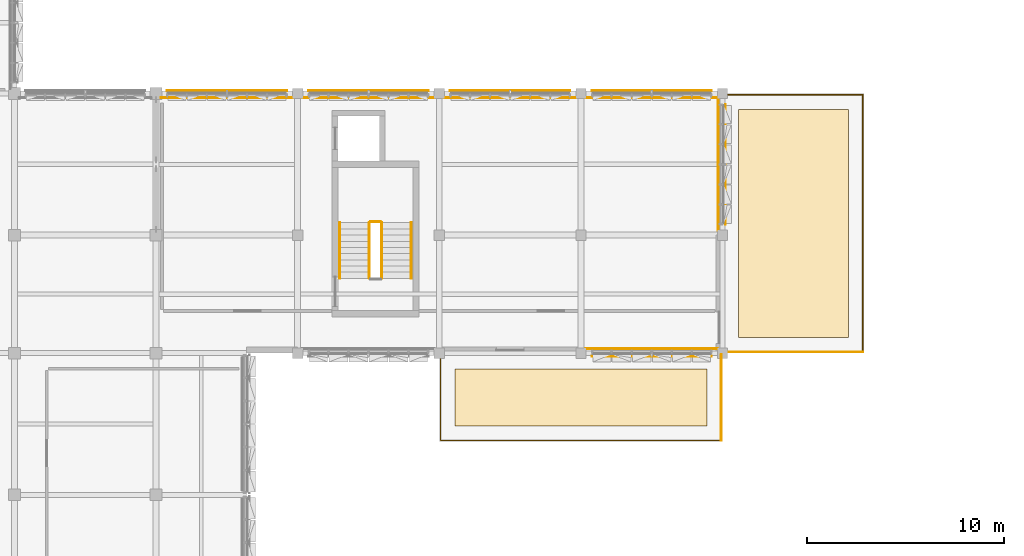
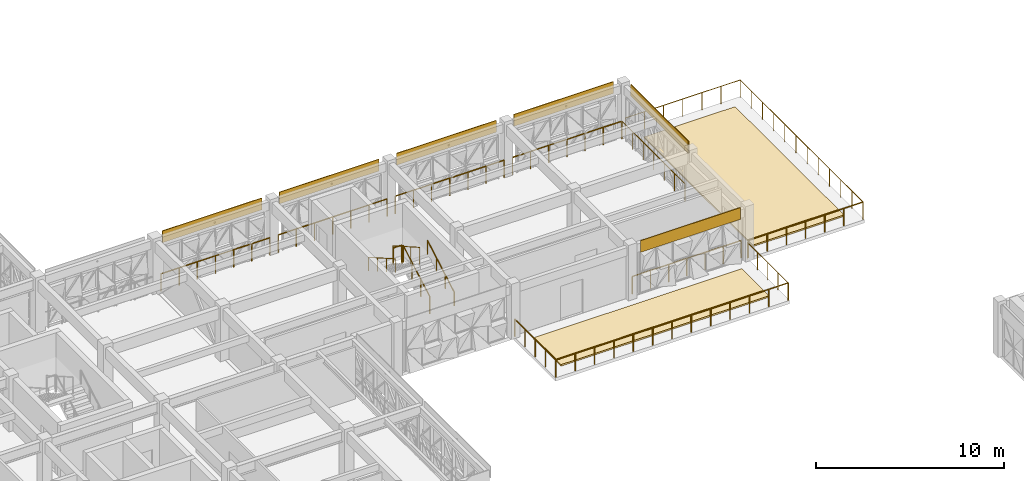
# One storey, part 62 of 74: 15 railings, 8 coverings.
"""IFC4 building model written with IfcOpenShell, lengths in metres."""

from ifc_helpers import new_model, si_unit, direction, frame, origin, origin_2d, place, context, subcontext, project, spatial, polyline, circle, outline, extrude, material, layer, layer_set, type_object, element, save


model = new_model("IFC4")

# Units and contexts
model_context = context("Model", 3, precision=1e-05, world=origin(), true_north=direction((0.0, 1.0)))
body_context = subcontext(model_context, "Body", "Model", "MODEL_VIEW")
ifc_project = project(units=[si_unit("LENGTHUNIT", "METRE"), si_unit("AREAUNIT", "SQUARE_METRE"), si_unit("VOLUMEUNIT", "CUBIC_METRE"), si_unit("PLANEANGLEUNIT", "RADIAN"), si_unit("MASSUNIT", "GRAM", prefix="KILO")], contexts=[model_context])

# Site, building, storey
site_placement = place(None, origin())
site = spatial("IfcSite", under=ifc_project, at=site_placement, CompositionType="ELEMENT")
building_placement = place(site_placement, origin())
building = spatial("IfcBuilding", under=site, at=building_placement, Name="Alvorim Cloister Faculty of Sciences", CompositionType="ELEMENT")
storey_placement = place(building_placement, frame((0.0, 0.0, 15.75)))
storey = spatial("IfcBuildingStorey", under=building, at=storey_placement, Name="L04", CompositionType="ELEMENT", Elevation=15.75)

# Coverings
ifc_material_1 = material(Name="Anodised Aluminium Alloy 6063-T6", Category="aluminium")
ifc_layer_1 = layer(ifc_material_1, 0.031982421875)
ifc_layer_set_1 = layer_set([ifc_layer_1], Name="Anodised Aluminium Alloy 6063-T6")
covering_type_1 = type_object("IfcCoveringType", Name="COV-FAC-CAS", PredefinedType="CLADDING", material=ifc_layer_set_1)
for number, where, z_axis, x_axis, name in (
    (1, (29.340087890625, 56.550048828125, 2.830078125), (0.0, 0.0, 1.0), (1.0, 0.0, 0.0), "L04 Shifted Bar Slab-Edge Architectural Fascia"),
    (2, (36.5400390625, 56.550048828125, 2.830078125), (0.0, 0.0, 1.0), (1.0, 0.0, 0.0), "L04 Shifted Bar Slab-Edge Architectural Fascia"),
    (3, (43.739990234375, 56.550048828125, 2.830078125), (0.0, 0.0, 1.0), (1.0, 0.0, 0.0), "L04 Shifted Bar Slab-Edge Architectural Fascia"),
    (4, (50.93994140625, 56.550048828125, 2.830078125), (0.0, 0.0, 1.0), (1.0, 0.0, 0.0), "L04 Shifted Bar Slab-Edge Architectural Fascia"),
    (5, (57.75, 49.739990234375, 2.830078125), (0.0, 0.0, 1.0), (0.0, 1.0, 0.0), "L04 Shifted Bar Slab-Edge Architectural Fascia"),
    (6, (50.93994140625, 43.050048828125, 2.830078125), (0.0, 0.0, 1.0), (1.0, 0.0, 0.0), "L04 Shifted Bar Slab-Edge Architectural Fascia"),
):
    element("IfcCovering", number, at=place(storey_placement, frame(where, z_axis=z_axis, x_axis=x_axis)), inside=storey, type_object=covering_type_1, Name=name, PredefinedType="CLADDING", context=body_context, shape_type="SweptSolid", body=[
        extrude(outline(polyline([(0.0, 0.0), (6.1201171875, 0.0), (6.1201171875, 0.760009765625), (0.0, 0.760009765625), (0.0, 0.0)])), frame((0.0, 0.0224609375, 0.0), z_axis=(0.0, -1.0, 0.0), x_axis=(1.0, 0.0, 0.0)), (0.0, 0.0, 1.0), 0.044921875),
    ])
ifc_material_2 = material(Name="Intensive Vegetated Substrate", Category="earth")
ifc_layer_2 = layer(ifc_material_2, 0.10009765625)
ifc_layer_set_2 = layer_set([ifc_layer_2], Name="Intensive Vegetated Substrate")
covering_type_2 = type_object("IfcCoveringType", Name="COV-ROOF-GREEN", PredefinedType="ROOFING", material=ifc_layer_set_2)
covering_1_placement = place(storey_placement, origin())
element("IfcCovering", 7, at=covering_1_placement, inside=storey, type_object=covering_type_2, Name="L04 North Cloister Cantilever Overlook Deck Quota Ambiental Vegetated Substrate", PredefinedType="ROOFING", context=body_context, shape_type="SweptSolid", body=[
    extrude(outline(polyline([(44.0, 39.5), (56.800048828125, 39.5), (56.800048828125, 42.39990234375), (44.0, 42.39990234375), (44.0, 39.5)])), origin(), (0.0, 0.0, 1.0), 0.10009765625),
])
covering_2_placement = place(storey_placement, origin())
element("IfcCovering", 8, at=covering_2_placement, inside=storey, type_object=covering_type_2, Name="L04 East Laboratory Stepped Terrace Quota Ambiental Vegetated Substrate", PredefinedType="ROOFING", context=body_context, shape_type="SweptSolid", body=[
    extrude(outline(polyline([(58.39990234375, 44.0), (64.0, 44.0), (64.0, 55.60009765625), (58.39990234375, 55.60009765625), (58.39990234375, 44.0)])), origin(), (0.0, 0.0, 1.0), 0.10009765625),
])

# Railings
ifc_material_3 = material(Name="Laminated Safety Glass and Bronze", Category="glass")
railing_type_1 = type_object("IfcRailingType", Name="RL-ATR-BAL-1150", PredefinedType="BALUSTRADE", material=ifc_material_3)
for number, where, name in (
    (9, (29.050048828125, 56.179931640625, 0.0), "L04 Curtain Wall Sill Guard BL-184"),
    (10, (36.25, 56.179931640625, 0.0), "L04 Curtain Wall Sill Guard BL-185"),
    (11, (43.449951171875, 56.179931640625, 0.0), "L04 Curtain Wall Sill Guard BL-186"),
):
    element("IfcRailing", number, at=place(storey_placement, frame(where)), inside=storey, type_object=railing_type_1, Name=name, PredefinedType="BALUSTRADE", context=body_context, shape_type="SweptSolid", body=[
        extrude(circle(Radius=0.02392578125, at=origin_2d()), frame((0.0, 0.0, 1.1259765625), z_axis=(1.0, 0.0, 0.0), x_axis=(0.0, 1.0, 0.0)), (0.0, 0.0, 1.0), 6.699951171875),
        extrude(circle(Radius=0.02099609375, at=origin_2d()), origin(), (0.0, 0.0, 1.0), 1.101806640625),
        extrude(circle(Radius=0.02099609375, at=origin_2d()), frame((1.11669921875, 0.0, 0.0)), (0.0, 0.0, 1.0), 1.101806640625),
        extrude(circle(Radius=0.02099609375, at=origin_2d()), frame((2.2333984375, 0.0, 0.0)), (0.0, 0.0, 1.0), 1.101806640625),
        extrude(circle(Radius=0.02099609375, at=origin_2d()), frame((3.35009765625, 0.0, 0.0)), (0.0, 0.0, 1.0), 1.101806640625),
        extrude(circle(Radius=0.02099609375, at=origin_2d()), frame((4.466552734375, 0.0, 0.0)), (0.0, 0.0, 1.0), 1.101806640625),
        extrude(circle(Radius=0.02099609375, at=origin_2d()), frame((5.583251953125, 0.0, 0.0)), (0.0, 0.0, 1.0), 1.101806640625),
        extrude(circle(Radius=0.02099609375, at=origin_2d()), frame((6.699951171875, 0.0, 0.0)), (0.0, 0.0, 1.0), 1.101806640625),
    ])
railing_1_placement = place(storey_placement, frame((50.64990234375, 56.179931640625, 0.0)))
element("IfcRailing", 12, at=railing_1_placement, inside=storey, type_object=railing_type_1, Name="L04 Curtain Wall Sill Guard BL-187", PredefinedType="BALUSTRADE", context=body_context, shape_type="SweptSolid", body=[
    extrude(circle(Radius=0.02392578125, at=origin_2d()), frame((0.0, 0.0, 1.1259765625), z_axis=(1.0, 0.0, 0.0), x_axis=(0.0, 1.0, 0.0)), (0.0, 0.0, 1.0), 6.7001953125),
    extrude(circle(Radius=0.02099609375, at=origin_2d()), origin(), (0.0, 0.0, 1.0), 1.101806640625),
    extrude(circle(Radius=0.02099609375, at=origin_2d()), frame((1.11669921875, 0.0, 0.0)), (0.0, 0.0, 1.0), 1.101806640625),
    extrude(circle(Radius=0.02099609375, at=origin_2d()), frame((2.2333984375, 0.0, 0.0)), (0.0, 0.0, 1.0), 1.101806640625),
    extrude(circle(Radius=0.02099609375, at=origin_2d()), frame((3.35009765625, 0.0, 0.0)), (0.0, 0.0, 1.0), 1.101806640625),
    extrude(circle(Radius=0.02099609375, at=origin_2d()), frame((4.466796875, 0.0, 0.0)), (0.0, 0.0, 1.0), 1.101806640625),
    extrude(circle(Radius=0.02099609375, at=origin_2d()), frame((5.58349609375, 0.0, 0.0)), (0.0, 0.0, 1.0), 1.101806640625),
    extrude(circle(Radius=0.02099609375, at=origin_2d()), frame((6.7001953125, 0.0, 0.0)), (0.0, 0.0, 1.0), 1.101806640625),
])
railing_2_placement = place(storey_placement, frame((57.3798828125, 49.449951171875, 0.0)))
element("IfcRailing", 13, at=railing_2_placement, inside=storey, type_object=railing_type_1, Name="L04 Curtain Wall Sill Guard BL-188", PredefinedType="BALUSTRADE", context=body_context, shape_type="SweptSolid", body=[
    extrude(circle(Radius=0.02392578125, at=origin_2d()), frame((0.0, 0.0, 1.1259765625), z_axis=(0.0, 1.0, 0.0), x_axis=(-1.0, 0.0, 0.0)), (0.0, 0.0, 1.0), 6.699951171875),
    extrude(circle(Radius=0.02099609375, at=origin_2d()), origin(), (0.0, 0.0, 1.0), 1.101806640625),
    extrude(circle(Radius=0.02099609375, at=origin_2d()), frame((0.0, 1.11669921875, 0.0)), (0.0, 0.0, 1.0), 1.101806640625),
    extrude(circle(Radius=0.02099609375, at=origin_2d()), frame((0.0, 2.2333984375, 0.0)), (0.0, 0.0, 1.0), 1.101806640625),
    extrude(circle(Radius=0.02099609375, at=origin_2d()), frame((0.0, 3.35009765625, 0.0)), (0.0, 0.0, 1.0), 1.101806640625),
    extrude(circle(Radius=0.02099609375, at=origin_2d()), frame((0.0, 4.466552734375, 0.0)), (0.0, 0.0, 1.0), 1.101806640625),
    extrude(circle(Radius=0.02099609375, at=origin_2d()), frame((0.0, 5.583251953125, 0.0)), (0.0, 0.0, 1.0), 1.101806640625),
    extrude(circle(Radius=0.02099609375, at=origin_2d()), frame((0.0, 6.699951171875, 0.0)), (0.0, 0.0, 1.0), 1.101806640625),
])
railing_3_placement = place(storey_placement, frame((50.64990234375, 43.419921875, 0.0)))
element("IfcRailing", 14, at=railing_3_placement, inside=storey, type_object=railing_type_1, Name="L04 Curtain Wall Sill Guard BL-189", PredefinedType="BALUSTRADE", context=body_context, shape_type="SweptSolid", body=[
    extrude(circle(Radius=0.02392578125, at=origin_2d()), frame((0.0, 0.0, 1.1259765625), z_axis=(1.0, 0.0, 0.0), x_axis=(0.0, 1.0, 0.0)), (0.0, 0.0, 1.0), 6.7001953125),
    extrude(circle(Radius=0.02099609375, at=origin_2d()), origin(), (0.0, 0.0, 1.0), 1.101806640625),
    extrude(circle(Radius=0.02099609375, at=origin_2d()), frame((1.11669921875, 0.0, 0.0)), (0.0, 0.0, 1.0), 1.101806640625),
    extrude(circle(Radius=0.02099609375, at=origin_2d()), frame((2.2333984375, 0.0, 0.0)), (0.0, 0.0, 1.0), 1.101806640625),
    extrude(circle(Radius=0.02099609375, at=origin_2d()), frame((3.35009765625, 0.0, 0.0)), (0.0, 0.0, 1.0), 1.101806640625),
    extrude(circle(Radius=0.02099609375, at=origin_2d()), frame((4.466796875, 0.0, 0.0)), (0.0, 0.0, 1.0), 1.101806640625),
    extrude(circle(Radius=0.02099609375, at=origin_2d()), frame((5.58349609375, 0.0, 0.0)), (0.0, 0.0, 1.0), 1.101806640625),
    extrude(circle(Radius=0.02099609375, at=origin_2d()), frame((6.7001953125, 0.0, 0.0)), (0.0, 0.0, 1.0), 1.101806640625),
])
ifc_material_4 = material(Name="Galvanised Painted Steel", Category="steel")
railing_type_2 = type_object("IfcRailingType", Name="RL-PAR-GUARD-1150", PredefinedType="GUARDRAIL", material=ifc_material_4)
railing_4_placement = place(storey_placement, frame((57.5400390625, 38.760009765625, 0.0)))
element("IfcRailing", 15, at=railing_4_placement, inside=storey, type_object=railing_type_2, Name="L04 North Cloister Cantilever Overlook Deck Perimeter Guard GR-305", PredefinedType="GUARDRAIL", context=body_context, shape_type="SweptSolid", body=[
    extrude(circle(Radius=0.02392578125, at=origin_2d()), frame((0.0, 0.0, 1.1259765625), z_axis=(0.0, 1.0, 0.0), x_axis=(-1.0, 0.0, 0.0)), (0.0, 0.0, 1.0), 4.360107421875),
    extrude(circle(Radius=0.02099609375, at=origin_2d()), origin(), (0.0, 0.0, 1.0), 1.101806640625),
    extrude(circle(Radius=0.02099609375, at=origin_2d()), frame((0.0, 1.090087890625, 0.0)), (0.0, 0.0, 1.0), 1.101806640625),
    extrude(circle(Radius=0.02099609375, at=origin_2d()), frame((0.0, 2.18017578125, 0.0)), (0.0, 0.0, 1.0), 1.101806640625),
    extrude(circle(Radius=0.02099609375, at=origin_2d()), frame((0.0, 3.27001953125, 0.0)), (0.0, 0.0, 1.0), 1.101806640625),
    extrude(circle(Radius=0.02099609375, at=origin_2d()), frame((0.0, 4.360107421875, 0.0)), (0.0, 0.0, 1.0), 1.101806640625),
])
railing_5_placement = place(storey_placement, frame((43.260009765625, 43.1201171875, 0.0)))
element("IfcRailing", 16, at=railing_5_placement, inside=storey, type_object=railing_type_2, Name="L04 North Cloister Cantilever Overlook Deck Perimeter Guard GR-306", PredefinedType="GUARDRAIL", context=body_context, shape_type="SweptSolid", body=[
    extrude(circle(Radius=0.02392578125, at=origin_2d()), frame((0.0, 0.0, 1.1259765625), z_axis=(0.0, -1.0, 0.0), x_axis=(1.0, 0.0, 0.0)), (0.0, 0.0, 1.0), 4.360107421875),
    extrude(circle(Radius=0.02392578125, at=origin_2d()), frame((0.0, -4.360107421875, 1.1259765625), z_axis=(1.0, 0.0, 0.0), x_axis=(0.0, 1.0, 0.0)), (0.0, 0.0, 1.0), 14.280029296875),
    extrude(circle(Radius=0.02099609375, at=origin_2d()), origin(), (0.0, 0.0, 1.0), 1.101806640625),
    extrude(circle(Radius=0.02099609375, at=origin_2d()), frame((0.0, -1.090087890625, 0.0)), (0.0, 0.0, 1.0), 1.101806640625),
    extrude(circle(Radius=0.02099609375, at=origin_2d()), frame((0.0, -2.18017578125, 0.0)), (0.0, 0.0, 1.0), 1.101806640625),
    extrude(circle(Radius=0.02099609375, at=origin_2d()), frame((0.0, -3.27001953125, 0.0)), (0.0, 0.0, 1.0), 1.101806640625),
    extrude(circle(Radius=0.02099609375, at=origin_2d()), frame((0.0, -4.360107421875, 0.0)), (0.0, 0.0, 1.0), 1.101806640625),
    extrude(circle(Radius=0.02099609375, at=origin_2d()), frame((1.18994140625, -4.360107421875, 0.0)), (0.0, 0.0, 1.0), 1.101806640625),
    extrude(circle(Radius=0.02099609375, at=origin_2d()), frame((2.3798828125, -4.360107421875, 0.0)), (0.0, 0.0, 1.0), 1.101806640625),
    extrude(circle(Radius=0.02099609375, at=origin_2d()), frame((3.570068359375, -4.360107421875, 0.0)), (0.0, 0.0, 1.0), 1.101806640625),
    extrude(circle(Radius=0.02099609375, at=origin_2d()), frame((4.760009765625, -4.360107421875, 0.0)), (0.0, 0.0, 1.0), 1.101806640625),
    extrude(circle(Radius=0.02099609375, at=origin_2d()), frame((5.949951171875, -4.360107421875, 0.0)), (0.0, 0.0, 1.0), 1.101806640625),
    extrude(circle(Radius=0.02099609375, at=origin_2d()), frame((7.14013671875, -4.360107421875, 0.0)), (0.0, 0.0, 1.0), 1.101806640625),
    extrude(circle(Radius=0.02099609375, at=origin_2d()), frame((8.330078125, -4.360107421875, 0.0)), (0.0, 0.0, 1.0), 1.101806640625),
    extrude(circle(Radius=0.02099609375, at=origin_2d()), frame((9.52001953125, -4.360107421875, 0.0)), (0.0, 0.0, 1.0), 1.101806640625),
    extrude(circle(Radius=0.02099609375, at=origin_2d()), frame((10.7099609375, -4.360107421875, 0.0)), (0.0, 0.0, 1.0), 1.101806640625),
    extrude(circle(Radius=0.02099609375, at=origin_2d()), frame((11.89990234375, -4.360107421875, 0.0)), (0.0, 0.0, 1.0), 1.101806640625),
    extrude(circle(Radius=0.02099609375, at=origin_2d()), frame((13.090087890625, -4.360107421875, 0.0)), (0.0, 0.0, 1.0), 1.101806640625),
    extrude(circle(Radius=0.02099609375, at=origin_2d()), frame((14.280029296875, -4.360107421875, 0.0)), (0.0, 0.0, 1.0), 1.101806640625),
])
railing_type_3 = type_object("IfcRailingType", Name="RL-STR-GUARD", PredefinedType="GUARDRAIL", material=ifc_material_4)
railing_6_placement = place(storey_placement, frame((40.27001953125, 47.0, 0.179931640625)))
element("IfcRailing", 17, at=railing_6_placement, inside=storey, type_object=railing_type_3, Name="L04 ST-04 stair guard 1", PredefinedType="GUARDRAIL", context=body_context, shape_type="SweptSolid", body=[
    extrude(circle(Radius=0.02392578125, at=origin_2d()), frame((0.0, 0.0, 1.09619140625), z_axis=(0.0, 0.868224736699, 0.496171146464), x_axis=(-1.0, 0.0, 0.0)), (0.0, 0.0, 1.0), 3.26513671875),
    extrude(circle(Radius=0.02099609375, at=origin_2d()), origin(), (0.0, 0.0, 1.0), 1.072021484375),
    extrude(circle(Radius=0.02099609375, at=origin_2d()), frame((0.0, 0.945068359375, 0.5400390625)), (0.0, 0.0, 1.0), 1.072021484375),
    extrude(circle(Radius=0.02099609375, at=origin_2d()), frame((0.0, 1.889892578125, 1.080078125)), (0.0, 0.0, 1.0), 1.072021484375),
    extrude(circle(Radius=0.02099609375, at=origin_2d()), frame((0.0, 2.8349609375, 1.6201171875)), (0.0, 0.0, 1.0), 1.072021484375),
])
railing_7_placement = place(storey_placement, frame((40.219970703125, 49.885009765625, 1.800048828125)))
element("IfcRailing", 18, at=railing_7_placement, inside=storey, type_object=railing_type_3, Name="L04 ST-04 stair guard 2", PredefinedType="GUARDRAIL", context=body_context, shape_type="SweptSolid", body=[
    extrude(circle(Radius=0.02392578125, at=origin_2d()), frame((0.0, 0.0, 1.09619140625), z_axis=(-1.0, 0.0, 0.0), x_axis=(0.0, -1.0, 0.0)), (0.0, 0.0, 1.0), 0.52001953125),
    extrude(circle(Radius=0.02099609375, at=origin_2d()), origin(), (0.0, 0.0, 1.0), 1.072021484375),
    extrude(circle(Radius=0.02099609375, at=origin_2d()), frame((-0.52001953125, 0.0, 0.0)), (0.0, 0.0, 1.0), 1.072021484375),
])
railing_8_placement = place(storey_placement, frame((39.64990234375, 49.8349609375, 1.97998046875)))
element("IfcRailing", 19, at=railing_8_placement, inside=storey, type_object=railing_type_3, Name="L04 ST-04 stair guard 3", PredefinedType="GUARDRAIL", context=body_context, shape_type="SweptSolid", body=[
    extrude(circle(Radius=0.02392578125, at=origin_2d()), frame((0.0, 0.0, 1.09619140625), z_axis=(0.0, -0.868224736699, 0.496171146464), x_axis=(1.0, 0.0, 0.0)), (0.0, 0.0, 1.0), 3.26513671875),
    extrude(circle(Radius=0.02099609375, at=origin_2d()), origin(), (0.0, 0.0, 1.0), 1.072021484375),
    extrude(circle(Radius=0.02099609375, at=origin_2d()), frame((0.0, -0.945068359375, 0.5400390625)), (0.0, 0.0, 1.0), 1.072021484375),
    extrude(circle(Radius=0.02099609375, at=origin_2d()), frame((0.0, -1.889892578125, 1.080078125)), (0.0, 0.0, 1.0), 1.072021484375),
    extrude(circle(Radius=0.02099609375, at=origin_2d()), frame((0.0, -2.8349609375, 1.6201171875)), (0.0, 0.0, 1.0), 1.072021484375),
])
ifc_material_5 = material(Name="Brushed Stainless Steel", Category="steel")
railing_type_4 = type_object("IfcRailingType", Name="RL-STR-HAND", PredefinedType="HANDRAIL", material=ifc_material_5)
railing_9_placement = place(storey_placement, frame((41.77001953125, 47.0, 0.179931640625)))
element("IfcRailing", 20, at=railing_9_placement, inside=storey, type_object=railing_type_4, Name="L04 ST-04 stair handrail 1", PredefinedType="HANDRAIL", context=body_context, shape_type="SweptSolid", body=[
    extrude(circle(Radius=0.02392578125, at=origin_2d()), frame((0.0, 0.0, 0.8759765625), z_axis=(0.0, 0.868224736699, 0.496171146464), x_axis=(-1.0, 0.0, 0.0)), (0.0, 0.0, 1.0), 3.26513671875),
    extrude(circle(Radius=0.02099609375, at=origin_2d()), origin(), (0.0, 0.0, 1.0), 0.851806640625),
    extrude(circle(Radius=0.02099609375, at=origin_2d()), frame((0.0, 0.945068359375, 0.5400390625)), (0.0, 0.0, 1.0), 0.851806640625),
    extrude(circle(Radius=0.02099609375, at=origin_2d()), frame((0.0, 1.889892578125, 1.080078125)), (0.0, 0.0, 1.0), 0.851806640625),
    extrude(circle(Radius=0.02099609375, at=origin_2d()), frame((0.0, 2.8349609375, 1.6201171875)), (0.0, 0.0, 1.0), 0.851806640625),
])
railing_10_placement = place(storey_placement, frame((38.14990234375, 49.8349609375, 1.97998046875)))
element("IfcRailing", 21, at=railing_10_placement, inside=storey, type_object=railing_type_4, Name="L04 ST-04 stair handrail 2", PredefinedType="HANDRAIL", context=body_context, shape_type="SweptSolid", body=[
    extrude(circle(Radius=0.02392578125, at=origin_2d()), frame((0.0, 0.0, 0.8759765625), z_axis=(0.0, -0.868224736699, 0.496171146464), x_axis=(1.0, 0.0, 0.0)), (0.0, 0.0, 1.0), 3.26513671875),
    extrude(circle(Radius=0.02099609375, at=origin_2d()), origin(), (0.0, 0.0, 1.0), 0.851806640625),
    extrude(circle(Radius=0.02099609375, at=origin_2d()), frame((0.0, -0.945068359375, 0.5400390625)), (0.0, 0.0, 1.0), 0.851806640625),
    extrude(circle(Radius=0.02099609375, at=origin_2d()), frame((0.0, -1.889892578125, 1.080078125)), (0.0, 0.0, 1.0), 0.851806640625),
    extrude(circle(Radius=0.02099609375, at=origin_2d()), frame((0.0, -2.8349609375, 1.6201171875)), (0.0, 0.0, 1.0), 0.851806640625),
])
railing_type_5 = type_object("IfcRailingType", Name="RL-TER-GUARD-1150", PredefinedType="GUARDRAIL", material=ifc_material_4)
railing_11_placement = place(storey_placement, frame((64.739990234375, 43.260009765625, 0.0)))
element("IfcRailing", 22, at=railing_11_placement, inside=storey, type_object=railing_type_5, Name="L04 East Laboratory Stepped Terrace Perimeter Guard GR-307", PredefinedType="GUARDRAIL", context=body_context, shape_type="SweptSolid", body=[
    extrude(circle(Radius=0.02392578125, at=origin_2d()), frame((0.0, 0.0, 1.1259765625), z_axis=(0.0, 1.0, 0.0), x_axis=(-1.0, 0.0, 0.0)), (0.0, 0.0, 1.0), 13.080078125),
    extrude(circle(Radius=0.02392578125, at=origin_2d()), frame((0.0, 13.080078125, 1.1259765625), z_axis=(-1.0, 0.0, 0.0), x_axis=(0.0, -1.0, 0.0)), (0.0, 0.0, 1.0), 7.06005859375),
    extrude(circle(Radius=0.02099609375, at=origin_2d()), origin(), (0.0, 0.0, 1.0), 1.101806640625),
    extrude(circle(Radius=0.02099609375, at=origin_2d()), frame((0.0, 1.189208984375, 0.0)), (0.0, 0.0, 1.0), 1.101806640625),
    extrude(circle(Radius=0.02099609375, at=origin_2d()), frame((0.0, 2.378173828125, 0.0)), (0.0, 0.0, 1.0), 1.101806640625),
    extrude(circle(Radius=0.02099609375, at=origin_2d()), frame((0.0, 3.5673828125, 0.0)), (0.0, 0.0, 1.0), 1.101806640625),
    extrude(circle(Radius=0.02099609375, at=origin_2d()), frame((0.0, 4.75634765625, 0.0)), (0.0, 0.0, 1.0), 1.101806640625),
    extrude(circle(Radius=0.02099609375, at=origin_2d()), frame((0.0, 5.945556640625, 0.0)), (0.0, 0.0, 1.0), 1.101806640625),
    extrude(circle(Radius=0.02099609375, at=origin_2d()), frame((0.0, 7.134521484375, 0.0)), (0.0, 0.0, 1.0), 1.101806640625),
    extrude(circle(Radius=0.02099609375, at=origin_2d()), frame((0.0, 8.32373046875, 0.0)), (0.0, 0.0, 1.0), 1.101806640625),
    extrude(circle(Radius=0.02099609375, at=origin_2d()), frame((0.0, 9.5126953125, 0.0)), (0.0, 0.0, 1.0), 1.101806640625),
    extrude(circle(Radius=0.02099609375, at=origin_2d()), frame((0.0, 10.701904296875, 0.0)), (0.0, 0.0, 1.0), 1.101806640625),
    extrude(circle(Radius=0.02099609375, at=origin_2d()), frame((0.0, 11.890869140625, 0.0)), (0.0, 0.0, 1.0), 1.101806640625),
    extrude(circle(Radius=0.02099609375, at=origin_2d()), frame((0.0, 13.080078125, 0.0)), (0.0, 0.0, 1.0), 1.101806640625),
    extrude(circle(Radius=0.02099609375, at=origin_2d()), frame((-1.1767578125, 13.080078125, 0.0)), (0.0, 0.0, 1.0), 1.101806640625),
    extrude(circle(Radius=0.02099609375, at=origin_2d()), frame((-2.353271484375, 13.080078125, 0.0)), (0.0, 0.0, 1.0), 1.101806640625),
    extrude(circle(Radius=0.02099609375, at=origin_2d()), frame((-3.530029296875, 13.080078125, 0.0)), (0.0, 0.0, 1.0), 1.101806640625),
    extrude(circle(Radius=0.02099609375, at=origin_2d()), frame((-4.706787109375, 13.080078125, 0.0)), (0.0, 0.0, 1.0), 1.101806640625),
    extrude(circle(Radius=0.02099609375, at=origin_2d()), frame((-5.88330078125, 13.080078125, 0.0)), (0.0, 0.0, 1.0), 1.101806640625),
    extrude(circle(Radius=0.02099609375, at=origin_2d()), frame((-7.06005859375, 13.080078125, 0.0)), (0.0, 0.0, 1.0), 1.101806640625),
])
railing_12_placement = place(storey_placement, frame((57.679931640625, 43.260009765625, 0.0)))
element("IfcRailing", 23, at=railing_12_placement, inside=storey, type_object=railing_type_5, Name="L04 East Laboratory Stepped Terrace Perimeter Guard GR-308", PredefinedType="GUARDRAIL", context=body_context, shape_type="SweptSolid", body=[
    extrude(circle(Radius=0.02392578125, at=origin_2d()), frame((0.0, 0.0, 1.1259765625), z_axis=(1.0, 0.0, 0.0), x_axis=(0.0, 1.0, 0.0)), (0.0, 0.0, 1.0), 7.06005859375),
    extrude(circle(Radius=0.02099609375, at=origin_2d()), origin(), (0.0, 0.0, 1.0), 1.101806640625),
    extrude(circle(Radius=0.02099609375, at=origin_2d()), frame((1.1767578125, 0.0, 0.0)), (0.0, 0.0, 1.0), 1.101806640625),
    extrude(circle(Radius=0.02099609375, at=origin_2d()), frame((2.353271484375, 0.0, 0.0)), (0.0, 0.0, 1.0), 1.101806640625),
    extrude(circle(Radius=0.02099609375, at=origin_2d()), frame((3.530029296875, 0.0, 0.0)), (0.0, 0.0, 1.0), 1.101806640625),
    extrude(circle(Radius=0.02099609375, at=origin_2d()), frame((4.706787109375, 0.0, 0.0)), (0.0, 0.0, 1.0), 1.101806640625),
    extrude(circle(Radius=0.02099609375, at=origin_2d()), frame((5.88330078125, 0.0, 0.0)), (0.0, 0.0, 1.0), 1.101806640625),
    extrude(circle(Radius=0.02099609375, at=origin_2d()), frame((7.06005859375, 0.0, 0.0)), (0.0, 0.0, 1.0), 1.101806640625),
])

save(model, "model.ifc")
